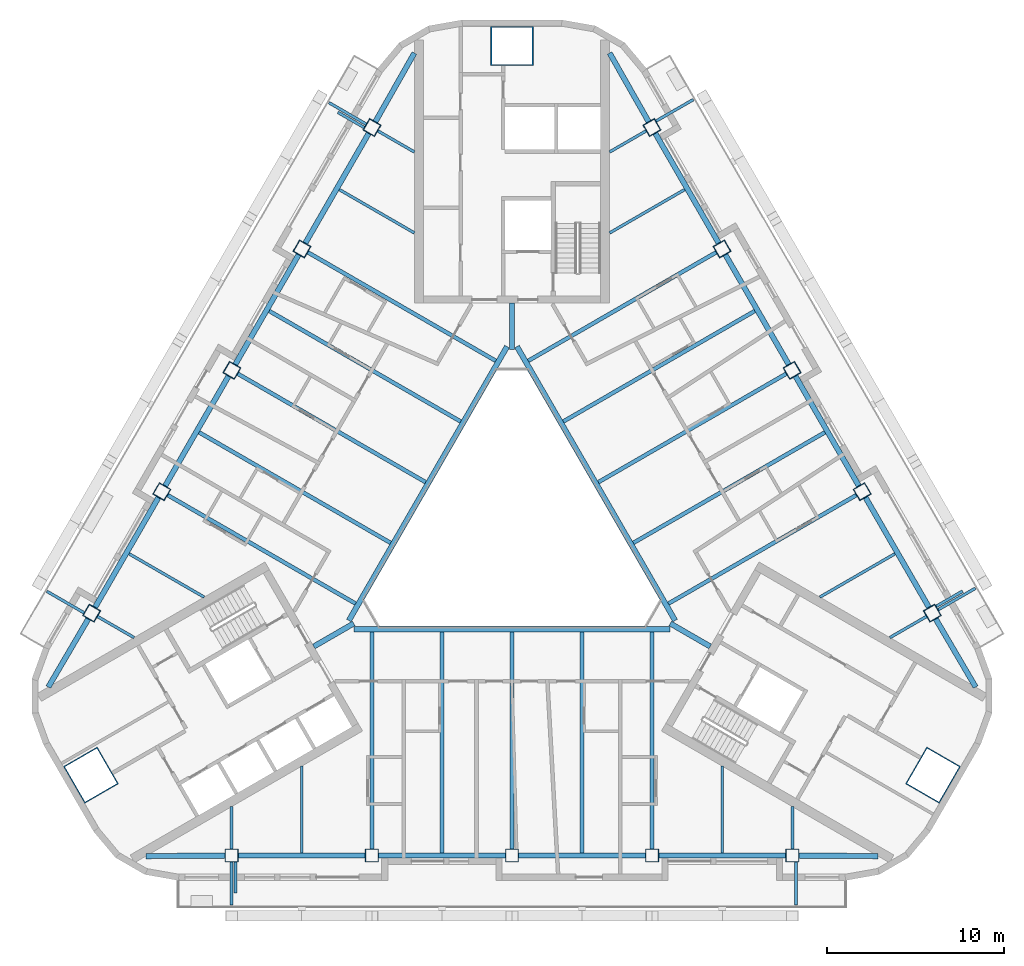
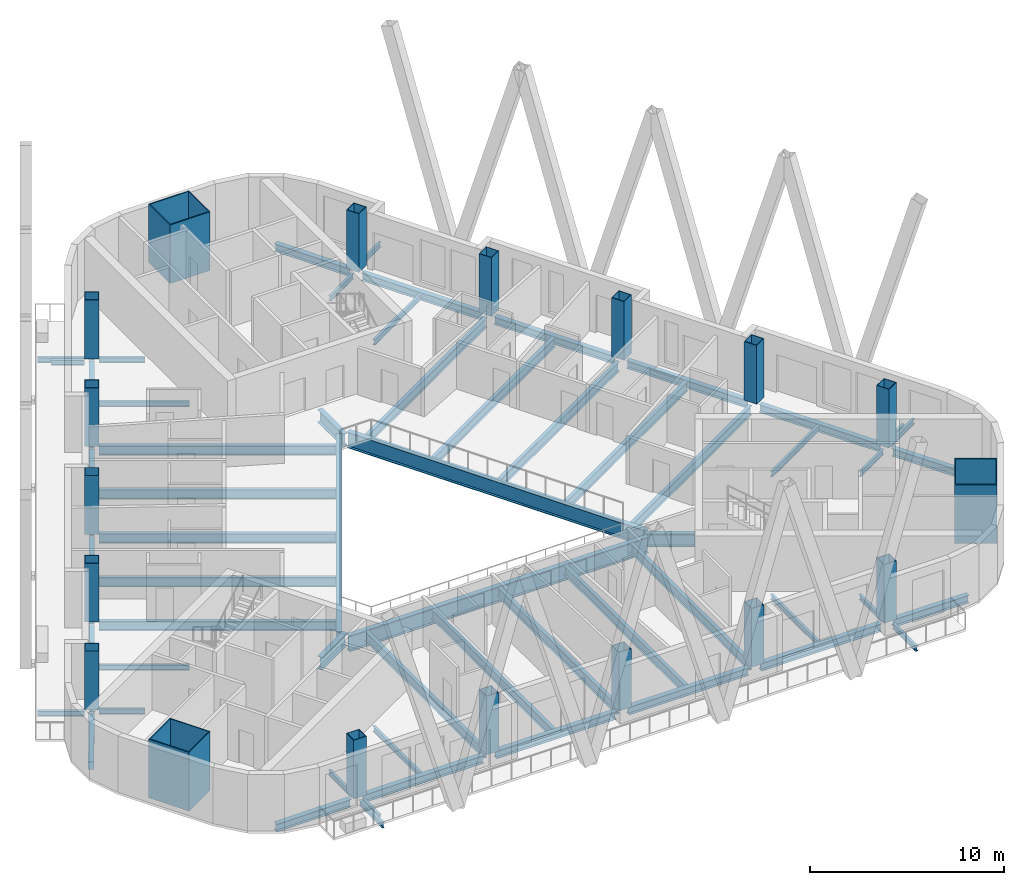
# One storey, part 1 of 14: 60 beams, 18 columns.
"""IFC4 building model written with IfcOpenShell, lengths in metres."""

from ifc_helpers import new_model, si_unit, direction, frame, origin, origin_2d, place, context, subcontext, project, spatial, rectangle, hollow_rectangle, i_section, extrude, material, material_profile, profile_set, type_object, element, save


model = new_model("IFC4")

# Units and contexts
model_context = context("Model", 3, precision=1e-05, world=origin(), true_north=direction((0.0, 1.0)))
body_context = subcontext(model_context, "Body", "Model", "MODEL_VIEW")
ifc_project = project(units=[si_unit("LENGTHUNIT", "METRE"), si_unit("AREAUNIT", "SQUARE_METRE"), si_unit("VOLUMEUNIT", "CUBIC_METRE"), si_unit("PLANEANGLEUNIT", "RADIAN"), si_unit("MASSUNIT", "GRAM", prefix="KILO")], contexts=[model_context])

# Site, building, storey
site_placement = place(None, origin())
site = spatial("IfcSite", under=ifc_project, at=site_placement, CompositionType="ELEMENT")
building_placement = place(site_placement, origin())
building = spatial("IfcBuilding", under=site, at=building_placement, Name="Apuvela Tower Hotel", CompositionType="ELEMENT")
storey_placement = place(building_placement, frame((0.0, 0.0, 224.300048828125)))
storey = spatial("IfcBuildingStorey", under=building, at=storey_placement, Name="L55", CompositionType="ELEMENT", Elevation=224.300048828125)

# Columns
ifc_material_1 = material(Name="Steel S460", Category="steel")
ifc_material_profile_1 = material_profile(ifc_material_1, hollow_rectangle(XDim=2.39990234375, YDim=2.199951171875, WallThickness=0.06005859375, at=origin_2d()), Name="BOX 2400x2200x60")
ifc_material_2 = material(Name="Concrete C80/95", Category="concrete")
ifc_material_profile_2 = material_profile(ifc_material_2, rectangle(XDim=2.280029296875, YDim=2.080078125, at=origin_2d()), Name="Concrete C80/95 infill")
ifc_profile_set_1 = profile_set([ifc_material_profile_1, ifc_material_profile_2], Name="Steel S460")
column_type_1 = type_object("IfcColumnType", Name="STR-MC mega column BOX 2400x2200x60", PredefinedType="COLUMN", material=ifc_profile_set_1)
for number, where, z_axis, x_axis, name in (
    (1, (0.0, 27.39990234375, 0.0), (0.0, 0.0, 1.0), (1.0, 0.0, 0.0), "Mega column MC3 N"),
    (2, (-23.72900390625, -13.699951171875, 0.0), (0.0, 0.0, 1.0), (-0.5, 0.866025403784, 0.0), "Mega column MC3 SW"),
    (3, (23.72900390625, -13.699951171875, 0.0), (0.0, 0.0, 1.0), (0.5, 0.866025403784, 0.0), "Mega column MC3 SE"),
):
    element("IfcColumn", number, at=place(storey_placement, frame(where, z_axis=z_axis, x_axis=x_axis)), inside=storey, type_object=column_type_1, Name=name, PredefinedType="COLUMN", context=body_context, shape_type="SweptSolid", body=[
        extrude(hollow_rectangle(XDim=2.39990234375, YDim=2.199951171875, WallThickness=0.06005859375, at=origin_2d()), origin(), (0.0, 0.0, 1.0), 3.699951171875),
    ])
ifc_material_profile_3 = material_profile(ifc_material_1, hollow_rectangle(XDim=0.75, YDim=0.75, WallThickness=0.034912109375, at=origin_2d()), Name="BOX 750x750x35")
ifc_material_profile_4 = material_profile(ifc_material_2, rectangle(XDim=0.679931640625, YDim=0.679931640625, at=origin_2d()), Name="Concrete C80/95 infill")
ifc_profile_set_2 = profile_set([ifc_material_profile_3, ifc_material_profile_4], Name="Steel S460")
column_type_2 = type_object("IfcColumnType", Name="STR-PC perimeter column BOX 750x750x35", PredefinedType="COLUMN", material=ifc_profile_set_2)
for number, where, z_axis, x_axis, name in (
    (4, (-15.800048828125, -18.22998046875, 0.0), (0.0, 0.0, 1.0), (-1.0, 0.0, 0.0), "Perimeter column C5 S1"),
    (5, (-7.89990234375, -18.22998046875, 0.0), (0.0, 0.0, 1.0), (-1.0, 0.0, 0.0), "Perimeter column C5 S2"),
    (6, (0.0, -18.22998046875, 0.0), (0.0, 0.0, 1.0), (-1.0, 0.0, 0.0), "Perimeter column C5 S3"),
    (7, (7.89990234375, -18.22998046875, 0.0), (0.0, 0.0, 1.0), (-1.0, 0.0, 0.0), "Perimeter column C5 S4"),
    (8, (15.800048828125, -18.22998046875, 0.0), (0.0, 0.0, 1.0), (-1.0, 0.0, 0.0), "Perimeter column C5 S5"),
    (9, (23.6875, -4.568115234375, 0.0), (0.0, 0.0, 1.0), (-0.5, 0.866025403784, 0.0), "Perimeter column C5 NE1"),
    (10, (19.737548828125, 2.2734375, 0.0), (0.0, 0.0, 1.0), (-0.5, 0.866025403784, 0.0), "Perimeter column C5 NE2"),
    (11, (15.78759765625, 9.114990234375, 0.0), (0.0, 0.0, 1.0), (-0.5, 0.866025403784, 0.0), "Perimeter column C5 NE3"),
    (12, (11.837646484375, 15.95654296875, 0.0), (0.0, 0.0, 1.0), (-0.5, 0.866025403784, 0.0), "Perimeter column C5 NE4"),
    (13, (7.8876953125, 22.798095703125, 0.0), (0.0, 0.0, 1.0), (-0.5, 0.866025403784, 0.0), "Perimeter column C5 NE5"),
    (14, (-7.8876953125, 22.798095703125, 0.0), (0.0, 0.0, 1.0), (0.5, 0.866025403784, 0.0), "Perimeter column C5 NW1"),
    (15, (-11.837646484375, 15.95654296875, 0.0), (0.0, 0.0, 1.0), (0.5, 0.866025403784, 0.0), "Perimeter column C5 NW2"),
    (16, (-15.78759765625, 9.114990234375, 0.0), (0.0, 0.0, 1.0), (0.5, 0.866025403784, 0.0), "Perimeter column C5 NW3"),
    (17, (-19.737548828125, 2.2734375, 0.0), (0.0, 0.0, 1.0), (0.5, 0.866025403784, 0.0), "Perimeter column C5 NW4"),
    (18, (-23.6875, -4.568115234375, 0.0), (0.0, 0.0, 1.0), (0.5, 0.866025403784, 0.0), "Perimeter column C5 NW5"),
):
    element("IfcColumn", number, at=place(storey_placement, frame(where, z_axis=z_axis, x_axis=x_axis)), inside=storey, type_object=column_type_2, Name=name, PredefinedType="COLUMN", context=body_context, shape_type="SweptSolid", body=[
        extrude(hollow_rectangle(XDim=0.75, YDim=0.75, WallThickness=0.034912109375, at=origin_2d()), origin(), (0.0, 0.0, 1.0), 3.699951171875),
    ])

# Beams
ifc_material_3 = material(Name="Steel S355", Category="steel")
ifc_material_profile_5 = material_profile(ifc_material_3, i_section(OverallWidth=0.159912109375, OverallDepth=0.330078125, WebThickness=0.007568359375, FlangeThickness=0.011474609375, at=origin_2d()), Name="IPE 330")
ifc_profile_set_3 = profile_set([ifc_material_profile_5], Name="Steel S355")
beam_type_1 = type_object("IfcBeamType", Name="ENV-BALCONY-BEAM-IPE330", PredefinedType="BEAM", material=ifc_profile_set_3)
beam_1_placement = place(storey_placement, frame((-15.800048828125, -18.60498046875, -0.31494140625), z_axis=(0.0, -1.0, 0.0), x_axis=(1.0, 0.0, 0.0)))
element("IfcBeam", 19, at=beam_1_placement, inside=storey, type_object=beam_type_1, Name="Balcony cantilever beam S1 L55", PredefinedType="BEAM", context=body_context, shape_type="SweptSolid", body=[
    extrude(i_section(OverallWidth=0.159912109375, OverallDepth=0.330078125, WebThickness=0.007568359375, FlangeThickness=0.011474609375, at=origin_2d()), origin(), (0.0, 0.0, 1.0), 2.425048828125),
])
beam_2_placement = place(storey_placement, frame((-15.580078125, -18.60498046875, -0.31494140625), z_axis=(0.0, -1.0, 0.0), x_axis=(1.0, 0.0, 0.0)))
element("IfcBeam", 20, at=beam_2_placement, inside=storey, type_object=beam_type_1, Name="Balcony cantilever beam S2 L55", PredefinedType="BEAM", context=body_context, shape_type="SweptSolid", body=[
    extrude(i_section(OverallWidth=0.159912109375, OverallDepth=0.330078125, WebThickness=0.007568359375, FlangeThickness=0.011474609375, at=origin_2d()), origin(), (0.0, 0.0, 1.0), 1.72509765625),
])
for number, where, z_axis, x_axis, name in (
    (21, (16.0, -18.60498046875, -0.31494140625), (0.0, -1.0, 0.0), (1.0, 0.0, 0.0), "Balcony cantilever beam S3 L55"),
    (22, (24.012451171875, -4.380615234375, -0.31494140625), (0.866041403502, 0.499972286653, 0.0), (-0.499972286653, 0.866041403502, 0.0), "Balcony cantilever beam NE1 L55"),
):
    element("IfcBeam", number, at=place(storey_placement, frame(where, z_axis=z_axis, x_axis=x_axis)), inside=storey, type_object=beam_type_1, Name=name, PredefinedType="BEAM", context=body_context, shape_type="SweptSolid", body=[
        extrude(i_section(OverallWidth=0.159912109375, OverallDepth=0.330078125, WebThickness=0.007568359375, FlangeThickness=0.011474609375, at=origin_2d()), origin(), (0.0, 0.0, 1.0), 2.425048828125),
    ])
beam_3_placement = place(storey_placement, frame((23.90234375, -4.190185546875, -0.31494140625), z_axis=(0.866013532718, 0.500020560727, 0.0), x_axis=(-0.500020560727, 0.866013532718, 0.0)))
element("IfcBeam", 23, at=beam_3_placement, inside=storey, type_object=beam_type_1, Name="Balcony cantilever beam NE2 L55", PredefinedType="BEAM", context=body_context, shape_type="SweptSolid", body=[
    extrude(i_section(OverallWidth=0.159912109375, OverallDepth=0.330078125, WebThickness=0.007568359375, FlangeThickness=0.011474609375, at=origin_2d()), origin(), (0.0, 0.0, 1.0), 1.72509765625),
])
for number, where, z_axis, x_axis, name in (
    (24, (8.1123046875, 23.158935546875, -0.31494140625), (0.866041403502, 0.499972286653, 0.0), (-0.499972286653, 0.866041403502, 0.0), "Balcony cantilever beam NE3 L55"),
    (25, (-8.21240234375, 22.985595703125, -0.31494140625), (-0.865997808697, 0.500047793048, 0.0), (-0.500047793048, -0.865997808697, 0.0), "Balcony cantilever beam NW1 L55"),
):
    element("IfcBeam", number, at=place(storey_placement, frame(where, z_axis=z_axis, x_axis=x_axis)), inside=storey, type_object=beam_type_1, Name=name, PredefinedType="BEAM", context=body_context, shape_type="SweptSolid", body=[
        extrude(i_section(OverallWidth=0.159912109375, OverallDepth=0.330078125, WebThickness=0.007568359375, FlangeThickness=0.011474609375, at=origin_2d()), origin(), (0.0, 0.0, 1.0), 2.425048828125),
    ])
beam_4_placement = place(storey_placement, frame((-8.322509765625, 22.795166015625, -0.31494140625), z_axis=(-0.866013532718, 0.500020560727, 0.0), x_axis=(-0.500020560727, -0.866013532718, 0.0)))
element("IfcBeam", 26, at=beam_4_placement, inside=storey, type_object=beam_type_1, Name="Balcony cantilever beam NW2 L55", PredefinedType="BEAM", context=body_context, shape_type="SweptSolid", body=[
    extrude(i_section(OverallWidth=0.159912109375, OverallDepth=0.330078125, WebThickness=0.007568359375, FlangeThickness=0.011474609375, at=origin_2d()), origin(), (0.0, 0.0, 1.0), 1.72509765625),
])
beam_5_placement = place(storey_placement, frame((-24.1123046875, -4.553955078125, -0.31494140625), z_axis=(-0.865997808697, 0.500047793048, 0.0), x_axis=(-0.500047793048, -0.865997808697, 0.0)))
element("IfcBeam", 27, at=beam_5_placement, inside=storey, type_object=beam_type_1, Name="Balcony cantilever beam NW3 L55", PredefinedType="BEAM", context=body_context, shape_type="SweptSolid", body=[
    extrude(i_section(OverallWidth=0.159912109375, OverallDepth=0.330078125, WebThickness=0.007568359375, FlangeThickness=0.011474609375, at=origin_2d()), origin(), (0.0, 0.0, 1.0), 2.425048828125),
])
ifc_material_profile_6 = material_profile(ifc_material_3, i_section(OverallWidth=0.159912109375, OverallDepth=0.330078125, WebThickness=0.007568359375, FlangeThickness=0.011474609375, at=origin_2d()), Name="IPE 330")
ifc_profile_set_4 = profile_set([ifc_material_profile_6], Name="Steel S355")
beam_type_2 = type_object("IfcBeamType", Name="STR-B floor beam IPE 330", PredefinedType="BEAM", material=ifc_profile_set_4)
beam_6_placement = place(storey_placement, frame((23.36279296875, -4.755615234375, -0.31494140625), z_axis=(-0.865982457891, -0.500074377092, 0.0), x_axis=(0.500074377092, -0.865982457891, 0.0)))
element("IfcBeam", 28, at=beam_6_placement, inside=storey, type_object=beam_type_2, Name="Floor beam B1 NE1", PredefinedType="BEAM", context=body_context, shape_type="SweptSolid", body=[
    extrude(i_section(OverallWidth=0.159912109375, OverallDepth=0.330078125, WebThickness=0.007568359375, FlangeThickness=0.011474609375, at=origin_2d()), origin(), (0.0, 0.0, 1.0), 2.382080078125),
])
for number, where, z_axis, x_axis, name in (
    (29, (21.582763671875, -1.222412109375, -0.31494140625), (-0.866015056278, -0.500017921979, 0.0), (0.500017921979, -0.866015056278, 0.0), "Floor beam B1 NE2"),
    (30, (9.732666015625, 19.302490234375, -0.31494140625), (-0.866015056278, -0.500017921979, 0.0), (0.500017921979, -0.866015056278, 0.0), "Floor beam B1 NE8"),
):
    element("IfcBeam", number, at=place(storey_placement, frame(where, z_axis=z_axis, x_axis=x_axis)), inside=storey, type_object=beam_type_2, Name=name, PredefinedType="BEAM", context=body_context, shape_type="SweptSolid", body=[
        extrude(i_section(OverallWidth=0.159912109375, OverallDepth=0.330078125, WebThickness=0.007568359375, FlangeThickness=0.011474609375, at=origin_2d()), origin(), (0.0, 0.0, 1.0), 4.887451171875),
    ])
for number, where, z_axis, x_axis, name in (
    (31, (7.56298828125, 22.610595703125, -0.31494140625), (-0.866052464367, -0.499953126767, 0.0), (0.499953126767, -0.866052464367, 0.0), "Floor beam B1 NE9"),
    (32, (-7.56298828125, 22.610595703125, -0.31494140625), (0.866052464367, -0.499953126767, 0.0), (0.499953126767, 0.866052464367, 0.0), "Floor beam B1 NW1"),
):
    element("IfcBeam", number, at=place(storey_placement, frame(where, z_axis=z_axis, x_axis=x_axis)), inside=storey, type_object=beam_type_2, Name=name, PredefinedType="BEAM", context=body_context, shape_type="SweptSolid", body=[
        extrude(i_section(OverallWidth=0.159912109375, OverallDepth=0.330078125, WebThickness=0.007568359375, FlangeThickness=0.011474609375, at=origin_2d()), origin(), (0.0, 0.0, 1.0), 2.382080078125),
    ])
for number, where, z_axis, x_axis, name in (
    (33, (-9.732666015625, 19.302490234375, -0.31494140625), (0.866015056278, -0.500017921979, 0.0), (0.500017921979, 0.866015056278, 0.0), "Floor beam B1 NW2"),
    (34, (-21.582763671875, -1.222412109375, -0.31494140625), (0.866015056278, -0.500017921979, 0.0), (0.500017921979, 0.866015056278, 0.0), "Floor beam B1 NW8"),
):
    element("IfcBeam", number, at=place(storey_placement, frame(where, z_axis=z_axis, x_axis=x_axis)), inside=storey, type_object=beam_type_2, Name=name, PredefinedType="BEAM", context=body_context, shape_type="SweptSolid", body=[
        extrude(i_section(OverallWidth=0.159912109375, OverallDepth=0.330078125, WebThickness=0.007568359375, FlangeThickness=0.011474609375, at=origin_2d()), origin(), (0.0, 0.0, 1.0), 4.887451171875),
    ])
for number, where, z_axis, x_axis, name in (
    (35, (-23.36279296875, -4.755615234375, -0.31494140625), (0.865982457891, -0.500074377092, 0.0), (0.500074377092, 0.865982457891, 0.0), "Floor beam B1 NW9"),
    (36, (-15.800048828125, -17.85498046875, -0.31494140625), (0.0, 1.0, 0.0), (-1.0, 0.0, 0.0), "Floor beam B1 S1"),
):
    element("IfcBeam", number, at=place(storey_placement, frame(where, z_axis=z_axis, x_axis=x_axis)), inside=storey, type_object=beam_type_2, Name=name, PredefinedType="BEAM", context=body_context, shape_type="SweptSolid", body=[
        extrude(i_section(OverallWidth=0.159912109375, OverallDepth=0.330078125, WebThickness=0.007568359375, FlangeThickness=0.011474609375, at=origin_2d()), origin(), (0.0, 0.0, 1.0), 2.382080078125),
    ])
for number, where, z_axis, x_axis, name in (
    (37, (-11.85009765625, -18.080078125, -0.31494140625), (0.0, 1.0, 0.0), (-1.0, 0.0, 0.0), "Floor beam B1 S2"),
    (38, (11.85009765625, -18.080078125, -0.31494140625), (0.0, 1.0, 0.0), (-1.0, 0.0, 0.0), "Floor beam B1 S8"),
):
    element("IfcBeam", number, at=place(storey_placement, frame(where, z_axis=z_axis, x_axis=x_axis)), inside=storey, type_object=beam_type_2, Name=name, PredefinedType="BEAM", context=body_context, shape_type="SweptSolid", body=[
        extrude(i_section(OverallWidth=0.159912109375, OverallDepth=0.330078125, WebThickness=0.007568359375, FlangeThickness=0.011474609375, at=origin_2d()), origin(), (0.0, 0.0, 1.0), 4.8876953125),
    ])
beam_7_placement = place(storey_placement, frame((15.800048828125, -17.85498046875, -0.31494140625), z_axis=(0.0, 1.0, 0.0), x_axis=(-1.0, 0.0, 0.0)))
element("IfcBeam", 39, at=beam_7_placement, inside=storey, type_object=beam_type_2, Name="Floor beam B1 S9", PredefinedType="BEAM", context=body_context, shape_type="SweptSolid", body=[
    extrude(i_section(OverallWidth=0.159912109375, OverallDepth=0.330078125, WebThickness=0.007568359375, FlangeThickness=0.011474609375, at=origin_2d()), origin(), (0.0, 0.0, 1.0), 2.382080078125),
])
ifc_material_profile_7 = material_profile(ifc_material_3, i_section(OverallWidth=0.219970703125, OverallDepth=0.60009765625, WebThickness=0.011962890625, FlangeThickness=0.01904296875, at=origin_2d()), Name="IPE 600")
ifc_profile_set_5 = profile_set([ifc_material_profile_7], Name="Steel S355")
beam_type_3 = type_object("IfcBeamType", Name="STR-B floor beam IPE 600", PredefinedType="BEAM", material=ifc_profile_set_5)
beam_8_placement = place(storey_placement, frame((19.412841796875, 2.0859375, -0.449951171875), z_axis=(-0.866025418325, -0.499999974815, 0.0), x_axis=(0.499999974815, -0.866025418325, 0.0)))
element("IfcBeam", 40, at=beam_8_placement, inside=storey, type_object=beam_type_3, Name="Floor beam B8 NE3", PredefinedType="BEAM", context=body_context, shape_type="SweptSolid", body=[
    extrude(i_section(OverallWidth=0.219970703125, OverallDepth=0.60009765625, WebThickness=0.011962890625, FlangeThickness=0.01904296875, at=origin_2d()), origin(), (0.0, 0.0, 1.0), 12.23486328125),
])
beam_9_placement = place(storey_placement, frame((17.6328125, 5.619140625, -0.449951171875), z_axis=(-0.866027987673, -0.499995524547, 0.0), x_axis=(0.499995524547, -0.866027987673, 0.0)))
element("IfcBeam", 41, at=beam_9_placement, inside=storey, type_object=beam_type_3, Name="Floor beam B8 NE4", PredefinedType="BEAM", context=body_context, shape_type="SweptSolid", body=[
    extrude(i_section(OverallWidth=0.219970703125, OverallDepth=0.60009765625, WebThickness=0.011962890625, FlangeThickness=0.01904296875, at=origin_2d()), origin(), (0.0, 0.0, 1.0), 12.4599609375),
])
beam_10_placement = place(storey_placement, frame((15.462890625, 8.927490234375, -0.449951171875), z_axis=(-0.866025418325, -0.499999974815, 0.0), x_axis=(0.499999974815, -0.866025418325, 0.0)))
element("IfcBeam", 42, at=beam_10_placement, inside=storey, type_object=beam_type_3, Name="Floor beam B8 NE5", PredefinedType="BEAM", context=body_context, shape_type="SweptSolid", body=[
    extrude(i_section(OverallWidth=0.219970703125, OverallDepth=0.60009765625, WebThickness=0.011962890625, FlangeThickness=0.01904296875, at=origin_2d()), origin(), (0.0, 0.0, 1.0), 12.23486328125),
])
beam_11_placement = place(storey_placement, frame((13.6826171875, 12.460693359375, -0.449951171875), z_axis=(-0.866023089177, -0.500004008996, 0.0), x_axis=(0.500004008996, -0.866023089177, 0.0)))
element("IfcBeam", 43, at=beam_11_placement, inside=storey, type_object=beam_type_3, Name="Floor beam B8 NE6", PredefinedType="BEAM", context=body_context, shape_type="SweptSolid", body=[
    extrude(i_section(OverallWidth=0.219970703125, OverallDepth=0.60009765625, WebThickness=0.011962890625, FlangeThickness=0.01904296875, at=origin_2d()), origin(), (0.0, 0.0, 1.0), 12.4599609375),
])
for number, where, z_axis, x_axis, name in (
    (44, (11.512939453125, 15.76904296875, -0.449951171875), (-0.866030406821, -0.499991334387, 0.0), (0.499991334387, -0.866030406821, 0.0), "Floor beam B8 NE7"),
    (45, (-11.512939453125, 15.76904296875, -0.449951171875), (0.866030406821, -0.499991334387, 0.0), (0.499991334387, 0.866030406821, 0.0), "Floor beam B8 NW3"),
):
    element("IfcBeam", number, at=place(storey_placement, frame(where, z_axis=z_axis, x_axis=x_axis)), inside=storey, type_object=beam_type_3, Name=name, PredefinedType="BEAM", context=body_context, shape_type="SweptSolid", body=[
        extrude(i_section(OverallWidth=0.219970703125, OverallDepth=0.60009765625, WebThickness=0.011962890625, FlangeThickness=0.01904296875, at=origin_2d()), origin(), (0.0, 0.0, 1.0), 12.235107421875),
    ])
beam_12_placement = place(storey_placement, frame((-13.6826171875, 12.460693359375, -0.449951171875), z_axis=(0.866023089177, -0.500004008996, 0.0), x_axis=(0.500004008996, 0.866023089177, 0.0)))
element("IfcBeam", 46, at=beam_12_placement, inside=storey, type_object=beam_type_3, Name="Floor beam B8 NW4", PredefinedType="BEAM", context=body_context, shape_type="SweptSolid", body=[
    extrude(i_section(OverallWidth=0.219970703125, OverallDepth=0.60009765625, WebThickness=0.011962890625, FlangeThickness=0.01904296875, at=origin_2d()), origin(), (0.0, 0.0, 1.0), 12.4599609375),
])
beam_13_placement = place(storey_placement, frame((-15.462890625, 8.927490234375, -0.449951171875), z_axis=(0.866025418325, -0.499999974815, 0.0), x_axis=(0.499999974815, 0.866025418325, 0.0)))
element("IfcBeam", 47, at=beam_13_placement, inside=storey, type_object=beam_type_3, Name="Floor beam B8 NW5", PredefinedType="BEAM", context=body_context, shape_type="SweptSolid", body=[
    extrude(i_section(OverallWidth=0.219970703125, OverallDepth=0.60009765625, WebThickness=0.011962890625, FlangeThickness=0.01904296875, at=origin_2d()), origin(), (0.0, 0.0, 1.0), 12.23486328125),
])
beam_14_placement = place(storey_placement, frame((-17.6328125, 5.619140625, -0.449951171875), z_axis=(0.866027987673, -0.499995524547, 0.0), x_axis=(0.499995524547, 0.866027987673, 0.0)))
element("IfcBeam", 48, at=beam_14_placement, inside=storey, type_object=beam_type_3, Name="Floor beam B8 NW6", PredefinedType="BEAM", context=body_context, shape_type="SweptSolid", body=[
    extrude(i_section(OverallWidth=0.219970703125, OverallDepth=0.60009765625, WebThickness=0.011962890625, FlangeThickness=0.01904296875, at=origin_2d()), origin(), (0.0, 0.0, 1.0), 12.4599609375),
])
for number, where, z_axis, x_axis, name in (
    (49, (-19.412841796875, 2.0859375, -0.449951171875), (0.866025418325, -0.499999974815, 0.0), (0.499999974815, 0.866025418325, 0.0), "Floor beam B8 NW7"),
    (50, (-7.89990234375, -17.85498046875, -0.449951171875), (0.0, 1.0, 0.0), (-1.0, 0.0, 0.0), "Floor beam B8 S3"),
):
    element("IfcBeam", number, at=place(storey_placement, frame(where, z_axis=z_axis, x_axis=x_axis)), inside=storey, type_object=beam_type_3, Name=name, PredefinedType="BEAM", context=body_context, shape_type="SweptSolid", body=[
        extrude(i_section(OverallWidth=0.219970703125, OverallDepth=0.60009765625, WebThickness=0.011962890625, FlangeThickness=0.01904296875, at=origin_2d()), origin(), (0.0, 0.0, 1.0), 12.23486328125),
    ])
beam_15_placement = place(storey_placement, frame((-3.949951171875, -18.080078125, -0.449951171875), z_axis=(0.0, 1.0, 0.0), x_axis=(-1.0, 0.0, 0.0)))
element("IfcBeam", 51, at=beam_15_placement, inside=storey, type_object=beam_type_3, Name="Floor beam B8 S4", PredefinedType="BEAM", context=body_context, shape_type="SweptSolid", body=[
    extrude(i_section(OverallWidth=0.219970703125, OverallDepth=0.60009765625, WebThickness=0.011962890625, FlangeThickness=0.01904296875, at=origin_2d()), origin(), (0.0, 0.0, 1.0), 12.4599609375),
])
beam_16_placement = place(storey_placement, frame((0.0, -17.85498046875, -0.449951171875), z_axis=(0.0, 1.0, 0.0), x_axis=(-1.0, 0.0, 0.0)))
element("IfcBeam", 52, at=beam_16_placement, inside=storey, type_object=beam_type_3, Name="Floor beam B8 S5", PredefinedType="BEAM", context=body_context, shape_type="SweptSolid", body=[
    extrude(i_section(OverallWidth=0.219970703125, OverallDepth=0.60009765625, WebThickness=0.011962890625, FlangeThickness=0.01904296875, at=origin_2d()), origin(), (0.0, 0.0, 1.0), 12.23486328125),
])
beam_17_placement = place(storey_placement, frame((3.949951171875, -18.080078125, -0.449951171875), z_axis=(0.0, 1.0, 0.0), x_axis=(-1.0, 0.0, 0.0)))
element("IfcBeam", 53, at=beam_17_placement, inside=storey, type_object=beam_type_3, Name="Floor beam B8 S6", PredefinedType="BEAM", context=body_context, shape_type="SweptSolid", body=[
    extrude(i_section(OverallWidth=0.219970703125, OverallDepth=0.60009765625, WebThickness=0.011962890625, FlangeThickness=0.01904296875, at=origin_2d()), origin(), (0.0, 0.0, 1.0), 12.4599609375),
])
beam_18_placement = place(storey_placement, frame((7.89990234375, -17.85498046875, -0.449951171875), z_axis=(0.0, 1.0, 0.0), x_axis=(-1.0, 0.0, 0.0)))
element("IfcBeam", 54, at=beam_18_placement, inside=storey, type_object=beam_type_3, Name="Floor beam B8 S7", PredefinedType="BEAM", context=body_context, shape_type="SweptSolid", body=[
    extrude(i_section(OverallWidth=0.219970703125, OverallDepth=0.60009765625, WebThickness=0.011962890625, FlangeThickness=0.01904296875, at=origin_2d()), origin(), (0.0, 0.0, 1.0), 12.23486328125),
])
ifc_material_profile_8 = material_profile(ifc_material_3, i_section(OverallWidth=0.300048828125, OverallDepth=1.0, WebThickness=0.01904296875, FlangeThickness=0.035888671875, at=origin_2d()), Name="HE 1000 B")
ifc_profile_set_6 = profile_set([ifc_material_profile_8], Name="Steel S355")
beam_type_4 = type_object("IfcBeamType", Name="STR-G atrium ring girder HE 1000 B", PredefinedType="BEAM", material=ifc_profile_set_6)
beam_19_placement = place(storey_placement, frame((-0.27978515625, 10.455078125, -0.650146484375), z_axis=(-0.500006541319, -0.866021627119, 0.0), x_axis=(0.866021627119, -0.500006541319, 0.0)))
element("IfcBeam", 55, at=beam_19_placement, inside=storey, type_object=beam_type_4, Name="Atrium ring girder G2 N-SW", PredefinedType="BEAM", context=body_context, shape_type="SweptSolid", body=[
    extrude(i_section(OverallWidth=0.300048828125, OverallDepth=1.0, WebThickness=0.01904296875, FlangeThickness=0.035888671875, at=origin_2d()), origin(), (0.0, 0.0, 1.0), 17.828857421875),
])
beam_20_placement = place(storey_placement, frame((-8.91455078125, -5.469970703125, -0.650146484375), z_axis=(1.0, 0.0, 0.0), x_axis=(0.0, 1.0, 0.0)))
element("IfcBeam", 56, at=beam_20_placement, inside=storey, type_object=beam_type_4, Name="Atrium ring girder G2 SW-SE", PredefinedType="BEAM", context=body_context, shape_type="SweptSolid", body=[
    extrude(i_section(OverallWidth=0.300048828125, OverallDepth=1.0, WebThickness=0.01904296875, FlangeThickness=0.035888671875, at=origin_2d()), origin(), (0.0, 0.0, 1.0), 17.8291015625),
])
beam_21_placement = place(storey_placement, frame((9.1943359375, -4.985107421875, -0.650146484375), z_axis=(-0.500006541319, 0.866021627119, 0.0), x_axis=(-0.866021627119, -0.500006541319, 0.0)))
element("IfcBeam", 57, at=beam_21_placement, inside=storey, type_object=beam_type_4, Name="Atrium ring girder G2 SE-N", PredefinedType="BEAM", context=body_context, shape_type="SweptSolid", body=[
    extrude(i_section(OverallWidth=0.300048828125, OverallDepth=1.0, WebThickness=0.01904296875, FlangeThickness=0.035888671875, at=origin_2d()), origin(), (0.0, 0.0, 1.0), 17.828857421875),
])
ifc_material_profile_9 = material_profile(ifc_material_3, i_section(OverallWidth=0.300048828125, OverallDepth=0.800048828125, WebThickness=0.017578125, FlangeThickness=0.032958984375, at=origin_2d()), Name="HE 800 B")
ifc_profile_set_7 = profile_set([ifc_material_profile_9], Name="Steel S355")
beam_type_5 = type_object("IfcBeamType", Name="STR-GT core tie beam HE 800 B", PredefinedType="BEAM", material=ifc_profile_set_7)
for number, where, z_axis, x_axis, name in (
    (58, (0.0, 12.89990234375, -0.550048828125), (0.0, -1.0, 0.0), (1.0, 0.0, 0.0), "Core tie beam GT1 N"),
    (59, (-11.171630859375, -6.449951171875, -0.550048828125), (0.865997922154, 0.500047596559, 0.0), (-0.500047596559, 0.865997922154, 0.0), "Core tie beam GT1 SW"),
    (60, (11.171630859375, -6.449951171875, -0.550048828125), (-0.865997922154, 0.500047596559, 0.0), (-0.500047596559, -0.865997922154, 0.0), "Core tie beam GT1 SE"),
):
    element("IfcBeam", number, at=place(storey_placement, frame(where, z_axis=z_axis, x_axis=x_axis)), inside=storey, type_object=beam_type_5, Name=name, PredefinedType="BEAM", context=body_context, shape_type="SweptSolid", body=[
        extrude(i_section(OverallWidth=0.300048828125, OverallDepth=0.800048828125, WebThickness=0.017578125, FlangeThickness=0.032958984375, at=origin_2d()), origin(), (0.0, 0.0, 1.0), 2.599853515625),
    ])
ifc_material_profile_10 = material_profile(ifc_material_3, i_section(OverallWidth=0.300048828125, OverallDepth=0.489990234375, WebThickness=0.011962890625, FlangeThickness=0.02294921875, at=origin_2d()), Name="HE 500 A")
ifc_profile_set_8 = profile_set([ifc_material_profile_10], Name="Steel S355")
beam_type_6 = type_object("IfcBeamType", Name="STR-SB spandrel beam HE 500 A", PredefinedType="SPANDREL", material=ifc_profile_set_8)
beam_22_placement = place(storey_placement, frame((-15.425048828125, -18.22998046875, -0.39501953125), z_axis=(1.0, 0.0, 0.0), x_axis=(0.0, 1.0, 0.0)))
element("IfcBeam", 61, at=beam_22_placement, inside=storey, type_object=beam_type_6, Name="Spandrel beam SB3 S1", PredefinedType="SPANDREL", context=body_context, shape_type="SweptSolid", body=[
    extrude(i_section(OverallWidth=0.300048828125, OverallDepth=0.489990234375, WebThickness=0.011962890625, FlangeThickness=0.02294921875, at=origin_2d()), origin(), (0.0, 0.0, 1.0), 7.150146484375),
])
for number, where, z_axis, x_axis, name in (
    (62, (-7.52490234375, -18.22998046875, -0.39501953125), (1.0, 0.0, 0.0), (0.0, 1.0, 0.0), "Spandrel beam SB3 S2"),
    (63, (0.375, -18.22998046875, -0.39501953125), (1.0, 0.0, 0.0), (0.0, 1.0, 0.0), "Spandrel beam SB3 S3"),
):
    element("IfcBeam", number, at=place(storey_placement, frame(where, z_axis=z_axis, x_axis=x_axis)), inside=storey, type_object=beam_type_6, Name=name, PredefinedType="SPANDREL", context=body_context, shape_type="SweptSolid", body=[
        extrude(i_section(OverallWidth=0.300048828125, OverallDepth=0.489990234375, WebThickness=0.011962890625, FlangeThickness=0.02294921875, at=origin_2d()), origin(), (0.0, 0.0, 1.0), 7.14990234375),
    ])
beam_23_placement = place(storey_placement, frame((8.27490234375, -18.22998046875, -0.39501953125), z_axis=(1.0, 0.0, 0.0), x_axis=(0.0, 1.0, 0.0)))
element("IfcBeam", 64, at=beam_23_placement, inside=storey, type_object=beam_type_6, Name="Spandrel beam SB3 S4", PredefinedType="SPANDREL", context=body_context, shape_type="SweptSolid", body=[
    extrude(i_section(OverallWidth=0.300048828125, OverallDepth=0.489990234375, WebThickness=0.011962890625, FlangeThickness=0.02294921875, at=origin_2d()), origin(), (0.0, 0.0, 1.0), 7.150146484375),
])
beam_24_placement = place(storey_placement, frame((23.5, -4.243408203125, -0.39501953125), z_axis=(-0.500006209673, 0.866021818598, 0.0), x_axis=(-0.866021818598, -0.500006209673, 0.0)))
element("IfcBeam", 65, at=beam_24_placement, inside=storey, type_object=beam_type_6, Name="Spandrel beam SB3 NE1", PredefinedType="SPANDREL", context=body_context, shape_type="SweptSolid", body=[
    extrude(i_section(OverallWidth=0.300048828125, OverallDepth=0.489990234375, WebThickness=0.011962890625, FlangeThickness=0.02294921875, at=origin_2d()), origin(), (0.0, 0.0, 1.0), 7.14990234375),
])
for number, where, z_axis, x_axis, name in (
    (66, (19.550048828125, 2.59814453125, -0.39501953125), (-0.499991424076, 0.86603035504, 0.0), (-0.86603035504, -0.499991424076, 0.0), "Spandrel beam SB3 NE2"),
    (67, (15.60009765625, 9.439697265625, -0.39501953125), (-0.499991424076, 0.86603035504, 0.0), (-0.86603035504, -0.499991424076, 0.0), "Spandrel beam SB3 NE3"),
):
    element("IfcBeam", number, at=place(storey_placement, frame(where, z_axis=z_axis, x_axis=x_axis)), inside=storey, type_object=beam_type_6, Name=name, PredefinedType="SPANDREL", context=body_context, shape_type="SweptSolid", body=[
        extrude(i_section(OverallWidth=0.300048828125, OverallDepth=0.489990234375, WebThickness=0.011962890625, FlangeThickness=0.02294921875, at=origin_2d()), origin(), (0.0, 0.0, 1.0), 7.150146484375),
    ])
for number, where, z_axis, x_axis, name in (
    (68, (11.650146484375, 16.281494140625, -0.39501953125), (-0.500006209673, 0.866021818598, 0.0), (-0.866021818598, -0.500006209673, 0.0), "Spandrel beam SB3 NE4"),
    (69, (-8.0751953125, 22.473388671875, -0.39501953125), (-0.500006209673, -0.866021818598, 0.0), (0.866021818598, -0.500006209673, 0.0), "Spandrel beam SB3 NW1"),
):
    element("IfcBeam", number, at=place(storey_placement, frame(where, z_axis=z_axis, x_axis=x_axis)), inside=storey, type_object=beam_type_6, Name=name, PredefinedType="SPANDREL", context=body_context, shape_type="SweptSolid", body=[
        extrude(i_section(OverallWidth=0.300048828125, OverallDepth=0.489990234375, WebThickness=0.011962890625, FlangeThickness=0.02294921875, at=origin_2d()), origin(), (0.0, 0.0, 1.0), 7.14990234375),
    ])
for number, where, z_axis, x_axis, name in (
    (70, (-12.025146484375, 15.6318359375, -0.39501953125), (-0.499991424076, -0.86603035504, 0.0), (0.86603035504, -0.499991424076, 0.0), "Spandrel beam SB3 NW2"),
    (71, (-15.97509765625, 8.790283203125, -0.39501953125), (-0.499991424076, -0.86603035504, 0.0), (0.86603035504, -0.499991424076, 0.0), "Spandrel beam SB3 NW3"),
):
    element("IfcBeam", number, at=place(storey_placement, frame(where, z_axis=z_axis, x_axis=x_axis)), inside=storey, type_object=beam_type_6, Name=name, PredefinedType="SPANDREL", context=body_context, shape_type="SweptSolid", body=[
        extrude(i_section(OverallWidth=0.300048828125, OverallDepth=0.489990234375, WebThickness=0.011962890625, FlangeThickness=0.02294921875, at=origin_2d()), origin(), (0.0, 0.0, 1.0), 7.150146484375),
    ])
beam_25_placement = place(storey_placement, frame((-19.925048828125, 1.948486328125, -0.39501953125), z_axis=(-0.500006209673, -0.866021818598, 0.0), x_axis=(0.866021818598, -0.500006209673, 0.0)))
element("IfcBeam", 72, at=beam_25_placement, inside=storey, type_object=beam_type_6, Name="Spandrel beam SB3 NW4", PredefinedType="SPANDREL", context=body_context, shape_type="SweptSolid", body=[
    extrude(i_section(OverallWidth=0.300048828125, OverallDepth=0.489990234375, WebThickness=0.011962890625, FlangeThickness=0.02294921875, at=origin_2d()), origin(), (0.0, 0.0, 1.0), 7.14990234375),
])
for number, where, z_axis, x_axis, name in (
    (73, (-16.175048828125, -18.232666015625, -0.39501953125), (-0.999976567383, -0.006845778571, 0.0), (0.006845778571, -0.999976567383, 0.0), "Spandrel beam SB3 S1-SW"),
    (74, (16.175048828125, -18.232666015625, -0.39501953125), (0.999976567383, -0.006845778571, 0.0), (0.006845778571, 0.999976567383, 0.0), "Spandrel beam SB3 S5-SE"),
    (75, (23.87744140625, -4.8916015625, -0.39501953125), (0.505933122104, -0.862572707636, 0.0), (0.862572707636, 0.505933122104, 0.0), "Spandrel beam SB3 NE1-SE"),
    (76, (7.702392578125, 23.124267578125, -0.39501953125), (-0.494055513212, 0.869430359411, 0.0), (-0.869430359411, -0.494055513212, 0.0), "Spandrel beam SB3 NE5-N"),
    (77, (-7.702392578125, 23.124267578125, -0.39501953125), (0.494055513212, 0.869430359411, 0.0), (-0.869430359411, 0.494055513212, 0.0), "Spandrel beam SB3 NW1-N"),
    (78, (-23.87744140625, -4.8916015625, -0.39501953125), (-0.505933122104, -0.862572707636, 0.0), (0.862572707636, -0.505933122104, 0.0), "Spandrel beam SB3 NW5-SW"),
):
    element("IfcBeam", number, at=place(storey_placement, frame(where, z_axis=z_axis, x_axis=x_axis)), inside=storey, type_object=beam_type_6, Name=name, PredefinedType="SPANDREL", context=body_context, shape_type="SweptSolid", body=[
        extrude(i_section(OverallWidth=0.300048828125, OverallDepth=0.489990234375, WebThickness=0.011962890625, FlangeThickness=0.02294921875, at=origin_2d()), origin(), (0.0, 0.0, 1.0), 4.457763671875),
    ])

save(model, "model.ifc")
